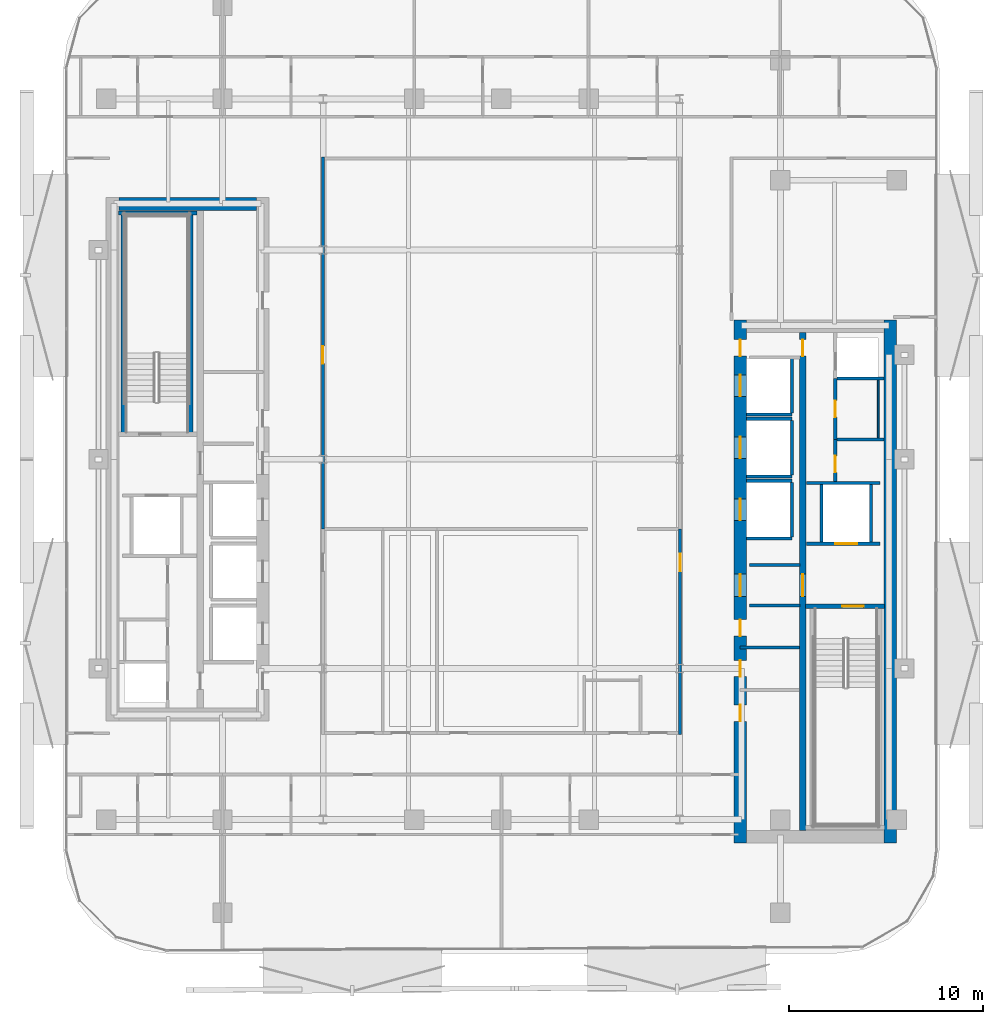
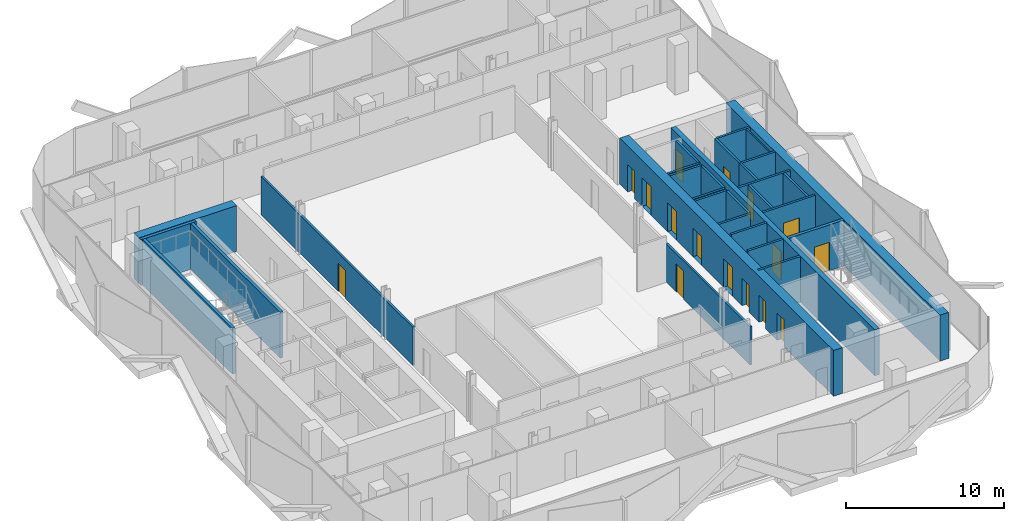
# One storey, part 5 of 17: 30 walls, 16 doors, 16 openings.
"""IFC4 building model written with IfcOpenShell, lengths in metres."""

from ifc_helpers import new_model, si_unit, direction, frame, frame_2d, origin, place, context, subcontext, project, spatial, rectangle, extrude, material, layer, layer_set, type_object, element, fill, save


model = new_model("IFC4")

# Units and contexts
model_context = context("Model", 3, precision=1e-05, world=origin(), true_north=direction((0.0, 1.0)))
body_context = subcontext(model_context, "Body", "Model", "MODEL_VIEW")
ifc_project = project(units=[si_unit("LENGTHUNIT", "METRE"), si_unit("AREAUNIT", "SQUARE_METRE"), si_unit("VOLUMEUNIT", "CUBIC_METRE"), si_unit("PLANEANGLEUNIT", "RADIAN"), si_unit("MASSUNIT", "GRAM", prefix="KILO")], contexts=[model_context])

# Site, building, storey
site_placement = place(None, origin())
site = spatial("IfcSite", under=ifc_project, at=site_placement, CompositionType="ELEMENT")
building_placement = place(site_placement, origin())
building = spatial("IfcBuilding", under=site, at=building_placement, Name="Khairoan Windgate Tower", CompositionType="ELEMENT")
storey_placement = place(building_placement, frame((0.0, 0.0, 168.800048828125)))
storey = spatial("IfcBuildingStorey", under=building, at=storey_placement, Name="L38", CompositionType="ELEMENT", Elevation=168.800048828125)

# Walls
ifc_material_1 = material(Name="Moisture-Resistant Gypsum Partition", Category="gypsum")
ifc_layer_1 = layer(ifc_material_1, 0.10009765625, Name="Moisture-Resistant Gypsum Partition")
ifc_layer_set_1 = layer_set([ifc_layer_1], Name="Moisture-Resistant Gypsum Partition")
wall_type_1 = type_object("IfcWallType", Name="Bathroom Wet-Area Partition Wall", PredefinedType="PARTITIONING", material=ifc_layer_set_1)
wall_1_placement = place(storey_placement, frame((19.449951171875, 4.090087890625, 0.0), z_axis=(0.0, 0.0, 1.0), x_axis=(0.0, -1.0, 0.0)))
element("IfcWall", 1, at=wall_1_placement, inside=storey, type_object=wall_type_1, Name="L38 Wet Room Side Wall 090", PredefinedType="PARTITIONING", context=body_context, shape_type="SweptSolid", body=[
    extrude(rectangle(XDim=2.97998046875, YDim=0.10009765625, at=frame_2d((1.489990234375, 0.0))), origin(), (0.0, 0.0, 1.0), 3.5400390625),
])
ifc_material_2 = material(Name="Concrete C40/50", Category="concrete")
ifc_layer_2 = layer(ifc_material_2, 0.159912109375, Name="Concrete C40/50")
ifc_layer_set_2 = layer_set([ifc_layer_2], Name="Concrete C40/50")
wall_type_2 = type_object("IfcWallType", Name="Core and Hoistway Enclosure Wall", PredefinedType="STANDARD", material=ifc_layer_set_2)
wall_2_placement = place(storey_placement, frame((12.64990234375, 2.31005859375, 0.0), z_axis=(0.0, 0.0, 1.0), x_axis=(1.0, 0.0, 0.0)))
element("IfcWall", 2, at=wall_2_placement, inside=storey, type_object=wall_type_2, Name="L38 Lift PL7 Hoistway Divider S", PredefinedType="STANDARD", context=body_context, shape_type="SweptSolid", body=[
    extrude(rectangle(XDim=2.340087890625, YDim=0.159912109375, at=frame_2d((1.169921875, 0.0))), origin(), (0.0, 0.0, 1.0), 3.5400390625),
])
wall_3_placement = place(storey_placement, frame((14.989990234375, 2.39990234375, 0.0), z_axis=(0.0, 0.0, 1.0), x_axis=(0.0, 1.0, 0.0)))
element("IfcWall", 3, at=wall_3_placement, inside=storey, type_object=wall_type_2, Name="L38 Lift PL7 Hoistway Back Wall", PredefinedType="STANDARD", context=body_context, shape_type="SweptSolid", body=[
    extrude(rectangle(XDim=2.800048828125, YDim=0.159912109375, at=frame_2d((1.39990234375, 0.0))), origin(), (0.0, 0.0, 1.0), 3.5400390625),
])
for number, where, z_axis, x_axis, name in (
    (4, (12.64990234375, -0.889892578125, 0.0), (0.0, 0.0, 1.0), (1.0, 0.0, 0.0), "L38 Lift PL8 Hoistway Divider S"),
    (5, (12.64990234375, 2.090087890625, 0.0), (0.0, 0.0, 1.0), (1.0, 0.0, 0.0), "L38 Lift PL8 Hoistway Divider N"),
):
    element("IfcWall", number, at=place(storey_placement, frame(where, z_axis=z_axis, x_axis=x_axis)), inside=storey, type_object=wall_type_2, Name=name, PredefinedType="STANDARD", context=body_context, shape_type="SweptSolid", body=[
        extrude(rectangle(XDim=2.340087890625, YDim=0.159912109375, at=frame_2d((1.169921875, 0.0))), origin(), (0.0, 0.0, 1.0), 3.5400390625),
    ])
wall_4_placement = place(storey_placement, frame((14.989990234375, -0.800048828125, 0.0), z_axis=(0.0, 0.0, 1.0), x_axis=(0.0, 1.0, 0.0)))
element("IfcWall", 6, at=wall_4_placement, inside=storey, type_object=wall_type_2, Name="L38 Lift PL8 Hoistway Back Wall", PredefinedType="STANDARD", context=body_context, shape_type="SweptSolid", body=[
    extrude(rectangle(XDim=2.800048828125, YDim=0.159912109375, at=frame_2d((1.39990234375, 0.0))), origin(), (0.0, 0.0, 1.0), 3.5400390625),
])
for number, where, z_axis, x_axis, name in (
    (7, (12.64990234375, -4.090087890625, 0.0), (0.0, 0.0, 1.0), (1.0, 0.0, 0.0), "L38 Lift PL9 Hoistway Divider S"),
    (8, (12.64990234375, -1.110107421875, 0.0), (0.0, 0.0, 1.0), (1.0, 0.0, 0.0), "L38 Lift PL9 Hoistway Divider N"),
):
    element("IfcWall", number, at=place(storey_placement, frame(where, z_axis=z_axis, x_axis=x_axis)), inside=storey, type_object=wall_type_2, Name=name, PredefinedType="STANDARD", context=body_context, shape_type="SweptSolid", body=[
        extrude(rectangle(XDim=2.340087890625, YDim=0.159912109375, at=frame_2d((1.169921875, 0.0))), origin(), (0.0, 0.0, 1.0), 3.5400390625),
    ])
wall_5_placement = place(storey_placement, frame((14.989990234375, -4.0, 0.0), z_axis=(0.0, 0.0, 1.0), x_axis=(0.0, 1.0, 0.0)))
element("IfcWall", 9, at=wall_5_placement, inside=storey, type_object=wall_type_2, Name="L38 Lift PL9 Hoistway Back Wall", PredefinedType="STANDARD", context=body_context, shape_type="SweptSolid", body=[
    extrude(rectangle(XDim=2.800048828125, YDim=0.159912109375, at=frame_2d((1.39990234375, 0.0))), origin(), (0.0, 0.0, 1.0), 3.5400390625),
])

# Wall, opening, door
wall_6_placement = place(storey_placement, frame((15.75, -4.360107421875, 0.0), z_axis=(0.0, 0.0, 1.0), x_axis=(1.0, 0.0, 0.0)))
wall_6 = element("IfcWall", 10, at=wall_6_placement, inside=storey, type_object=wall_type_2, Name="L38 Core Shaft Wall SW-FL1-L38", PredefinedType="STANDARD", context=body_context, shape_type="SweptSolid", body=[
    extrude(rectangle(XDim=3.800048828125, YDim=0.159912109375, at=frame_2d((1.89990234375, 0.0))), origin(), (0.0, 0.0, 1.0), 3.5400390625),
])
opening_1_placement = place(wall_6_placement, frame((1.469970703125, 0.0, 0.0)))
opening_1 = element("IfcOpeningElement", 11, at=opening_1_placement, cuts=wall_6, Name="Opening LD-FL", PredefinedType="OPENING", context=body_context, shape_type="SweptSolid", body=[
    extrude(rectangle(XDim=1.14990234375, YDim=2.199951171875, at=frame_2d((0.574951171875, 1.10009765625))), frame((0.0, 0.08984375, 0.0), z_axis=(0.0, -1.0, 0.0), x_axis=(1.0, 0.0, 0.0)), (0.0, 0.0, 1.0), 0.179931640625),
])
ifc_material_3 = material(Name="Steel S355", Category="steel")
door_type_1 = type_object("IfcDoorType", Name="Firefighting Lift Sliding Landing Door LD-FL 1150x2200", OperationType="DOUBLE_DOOR_SLIDING", PredefinedType="DOOR", material=ifc_material_3)
door_1_placement = place(opening_1_placement, origin())
door_1 = element("IfcDoor", 12, at=door_1_placement, inside=storey, type_object=door_type_1, Name="L38 Firefighting Lift FL1 Landing Door", OperationType="DOUBLE_DOOR_SLIDING", OverallHeight=2.199951171875, OverallWidth=1.14990234375, PredefinedType="DOOR", context=body_context, shape_type="SweptSolid", body=[
    extrude(rectangle(XDim=1.14990234375, YDim=2.199951171875, at=frame_2d((0.574951171875, 1.10009765625))), frame((0.0, 0.02490234375, 0.0), z_axis=(0.0, -1.0, 0.0), x_axis=(1.0, 0.0, 0.0)), (0.0, 0.0, 1.0), 0.050048828125),
])
fill(opening_1, door_1)

# Walls
wall_7_placement = place(storey_placement, frame((15.75, -1.219970703125, 0.0), z_axis=(0.0, 0.0, 1.0), x_axis=(1.0, 0.0, 0.0)))
element("IfcWall", 13, at=wall_7_placement, inside=storey, type_object=wall_type_2, Name="L38 Core Shaft Wall SW-FL1T-L38", PredefinedType="STANDARD", context=body_context, shape_type="SweptSolid", body=[
    extrude(rectangle(XDim=3.800048828125, YDim=0.159912109375, at=frame_2d((1.89990234375, 0.0))), origin(), (0.0, 0.0, 1.0), 3.5400390625),
])
for number, where, z_axis, x_axis, name in (
    (14, (16.52001953125, -4.280029296875, 0.0), (0.0, 0.0, 1.0), (0.0, 1.0, 0.0), "L38 Core Shaft Wall SW-FL1W-L38"),
    (15, (19.080078125, -4.280029296875, 0.0), (0.0, 0.0, 1.0), (0.0, 1.0, 0.0), "L38 Core Shaft Wall SW-FL1E-L38"),
):
    element("IfcWall", number, at=place(storey_placement, frame(where, z_axis=z_axis, x_axis=x_axis)), inside=storey, type_object=wall_type_2, Name=name, PredefinedType="STANDARD", context=body_context, shape_type="SweptSolid", body=[
        extrude(rectangle(XDim=2.97998046875, YDim=0.159912109375, at=frame_2d((1.489990234375, 0.0))), origin(), (0.0, 0.0, 1.0), 3.5400390625),
    ])
for number, where, z_axis, x_axis, name in (
    (16, (12.800048828125, -5.449951171875, 0.0), (0.0, 0.0, 1.0), (1.0, 0.0, 0.0), "L38 Core Shaft Wall SW-EV1-L38"),
    (17, (12.800048828125, -7.5400390625, 0.0), (0.0, 0.0, 1.0), (1.0, 0.0, 0.0), "L38 Core Shaft Wall SW-EV2-L38"),
):
    element("IfcWall", number, at=place(storey_placement, frame(where, z_axis=z_axis, x_axis=x_axis)), inside=storey, type_object=wall_type_2, Name=name, PredefinedType="STANDARD", context=body_context, shape_type="SweptSolid", body=[
        extrude(rectangle(XDim=2.599853515625, YDim=0.159912109375, at=frame_2d((1.2998046875, 0.0))), origin(), (0.0, 0.0, 1.0), 3.5400390625),
    ])

# Wall, opening, door
ifc_material_4 = material(Name="Concrete C40/50", Category="concrete")
ifc_layer_3 = layer(ifc_material_4, 0.159912109375, Name="Concrete C40/50")
ifc_layer_set_3 = layer_set([ifc_layer_3], Name="Concrete C40/50")
wall_type_3 = type_object("IfcWallType", Name="Plant and Refuge Compartment Wall", PredefinedType="PARTITIONING", material=ifc_layer_set_3)
wall_8_placement = place(storey_placement, frame((17.22998046875, -1.139892578125, 0.0), z_axis=(0.0, 0.0, 1.0), x_axis=(0.0, 1.0, 0.0)))
wall_8 = element("IfcWall", 18, at=wall_8_placement, inside=storey, type_object=wall_type_3, Name="L38 Interior Partition 008", PredefinedType="PARTITIONING", context=body_context, shape_type="SweptSolid", body=[
    extrude(rectangle(XDim=2.169921875, YDim=0.159912109375, at=frame_2d((1.0849609375, 0.0))), origin(), (0.0, 0.0, 1.0), 3.5400390625),
])
opening_2_placement = place(wall_8_placement, frame((0.4599609375, 0.0, 0.0)))
opening_2 = element("IfcOpeningElement", 19, at=opening_2_placement, cuts=wall_8, Name="Opening FD-SRV", PredefinedType="OPENING", context=body_context, shape_type="SweptSolid", body=[
    extrude(rectangle(XDim=0.85009765625, YDim=2.10009765625, at=frame_2d((0.425048828125, 1.050048828125))), frame((0.0, 0.08984375, 0.0), z_axis=(0.0, -1.0, 0.0), x_axis=(1.0, 0.0, 0.0)), (0.0, 0.0, 1.0), 0.179931640625),
])
ifc_material_5 = material(Name="Steel S355", Category="steel")
door_type_2 = type_object("IfcDoorType", Name="Core Service and Riser Fire Door FD-SRV 850x2100", OperationType="NOTDEFINED", PredefinedType="DOOR", material=ifc_material_5)
door_2_placement = place(opening_2_placement, origin())
door_2 = element("IfcDoor", 20, at=door_2_placement, inside=storey, type_object=door_type_2, Name="L38 L38-18-L38-20 Door", OperationType="SINGLE_SWING_RIGHT", OverallHeight=2.10009765625, OverallWidth=0.85009765625, PredefinedType="DOOR", context=body_context, shape_type="SweptSolid", body=[
    extrude(rectangle(XDim=0.85009765625, YDim=2.10009765625, at=frame_2d((0.425048828125, 1.050048828125))), frame((0.0, 0.02490234375, 0.0), z_axis=(0.0, -1.0, 0.0), x_axis=(1.0, 0.0, 0.0)), (0.0, 0.0, 1.0), 0.050048828125),
])
fill(opening_2, door_2)

wall_9_placement = place(storey_placement, frame((17.22998046875, 1.030029296875, 0.0), z_axis=(0.0, 0.0, 1.0), x_axis=(0.0, 1.0, 0.0)))
wall_9 = element("IfcWall", 21, at=wall_9_placement, inside=storey, type_object=wall_type_3, Name="L38 Interior Partition 009", PredefinedType="PARTITIONING", context=body_context, shape_type="SweptSolid", body=[
    extrude(rectangle(XDim=3.139892578125, YDim=0.159912109375, at=frame_2d((1.56982421875, 0.0))), origin(), (0.0, 0.0, 1.0), 3.5400390625),
])
opening_3_placement = place(wall_9_placement, frame((1.14501953125, 0.0, 0.0)))
opening_3 = element("IfcOpeningElement", 22, at=opening_3_placement, cuts=wall_9, Name="Opening FD-SRV", PredefinedType="OPENING", context=body_context, shape_type="SweptSolid", body=[
    extrude(rectangle(XDim=0.85009765625, YDim=2.10009765625, at=frame_2d((0.425048828125, 1.050048828125))), frame((0.0, 0.08984375, 0.0), z_axis=(0.0, -1.0, 0.0), x_axis=(1.0, 0.0, 0.0)), (0.0, 0.0, 1.0), 0.179931640625),
])
door_3_placement = place(opening_3_placement, origin())
door_3 = element("IfcDoor", 23, at=door_3_placement, inside=storey, type_object=door_type_2, Name="L38 L38-18-L38-21 Door", OperationType="SINGLE_SWING_LEFT", OverallHeight=2.10009765625, OverallWidth=0.85009765625, PredefinedType="DOOR", context=body_context, shape_type="SweptSolid", body=[
    extrude(rectangle(XDim=0.85009765625, YDim=2.10009765625, at=frame_2d((0.425048828125, 1.050048828125))), frame((0.0, 0.02490234375, 0.0), z_axis=(0.0, -1.0, 0.0), x_axis=(1.0, 0.0, 0.0)), (0.0, 0.0, 1.0), 0.050048828125),
])
fill(opening_3, door_3)

# Walls
for number, where, z_axis, x_axis, name in (
    (24, (17.31005859375, 4.169921875, 0.0), (0.0, 0.0, 1.0), (1.0, 0.0, 0.0), "L38 Interior Partition 010"),
    (25, (17.31005859375, 1.030029296875, 0.0), (0.0, 0.0, 1.0), (1.0, 0.0, 0.0), "L38 Interior Partition 011"),
):
    element("IfcWall", number, at=place(storey_placement, frame(where, z_axis=z_axis, x_axis=x_axis)), inside=storey, type_object=wall_type_3, Name=name, PredefinedType="PARTITIONING", context=body_context, shape_type="SweptSolid", body=[
        extrude(rectangle(XDim=2.43994140625, YDim=0.159912109375, at=frame_2d((1.219970703125, 0.0))), origin(), (0.0, 0.0, 1.0), 3.5400390625),
    ])
wall_10_placement = place(storey_placement, frame((12.31005859375, -9.719970703125, 0.0), z_axis=(0.0, 0.0, 1.0), x_axis=(1.0, 0.0, 0.0)))
element("IfcWall", 26, at=wall_10_placement, inside=storey, type_object=wall_type_3, Name="L38 Interior Partition 013", PredefinedType="PARTITIONING", context=body_context, shape_type="SweptSolid", body=[
    extrude(rectangle(XDim=3.06494140625, YDim=0.159912109375, at=frame_2d((1.532470703125, 0.0))), origin(), (0.0, 0.0, 1.0), 3.5400390625),
])

# Wall, opening, door
ifc_material_6 = material(Name="Acoustic Fire-Rated Gypsum Partition", Category="gypsum")
ifc_layer_4 = layer(ifc_material_6, 0.14990234375, Name="Acoustic Fire-Rated Gypsum Partition")
ifc_layer_set_4 = layer_set([ifc_layer_4], Name="Acoustic Fire-Rated Gypsum Partition")
wall_type_4 = type_object("IfcWallType", Name="Rated Corridor Partition Wall", PredefinedType="PARTITIONING", material=ifc_layer_set_4)
wall_11_placement = place(storey_placement, frame((-9.219970703125, -3.60009765625, 0.0), z_axis=(0.0, 0.0, 1.0), x_axis=(0.0, 1.0, 0.0)))
wall_11 = element("IfcWall", 27, at=wall_11_placement, inside=storey, type_object=wall_type_4, Name="L38 Interior Partition 015", PredefinedType="PARTITIONING", context=body_context, shape_type="SweptSolid", body=[
    extrude(rectangle(XDim=19.195068359375, YDim=0.14990234375, at=frame_2d((9.59765625, 0.0))), origin(), (0.0, 0.0, 1.0), 2.951904296875),
])
opening_4_placement = place(wall_11_placement, frame((8.54150390625, 0.0, 0.0)))
opening_4 = element("IfcOpeningElement", 28, at=opening_4_placement, cuts=wall_11, Name="Opening FD-ENT", PredefinedType="OPENING", context=body_context, shape_type="SweptSolid", body=[
    extrude(rectangle(XDim=0.89990234375, YDim=2.14990234375, at=frame_2d((0.449951171875, 1.074951171875))), frame((0.0, 0.0849609375, 0.0), z_axis=(0.0, -1.0, 0.0), x_axis=(1.0, 0.0, 0.0)), (0.0, 0.0, 1.0), 0.169921875),
])
ifc_material_7 = material(Name="Timber Fire-Rated Core", Category="wood")
door_type_3 = type_object("IfcDoorType", Name="Unit and Office Fire Entrance Door FD-ENT 900x2150", OperationType="NOTDEFINED", PredefinedType="DOOR", material=ifc_material_7)
door_4_placement = place(opening_4_placement, origin())
door_4 = element("IfcDoor", 29, at=door_4_placement, inside=storey, type_object=door_type_3, Name="L38 L38-30-L38-39 Door", OperationType="SINGLE_SWING_LEFT", OverallHeight=2.14990234375, OverallWidth=0.89990234375, PredefinedType="DOOR", context=body_context, shape_type="SweptSolid", body=[
    extrude(rectangle(XDim=0.89990234375, YDim=2.14990234375, at=frame_2d((0.449951171875, 1.074951171875))), frame((0.0, 0.02490234375, 0.0), z_axis=(0.0, -1.0, 0.0), x_axis=(1.0, 0.0, 0.0)), (0.0, 0.0, 1.0), 0.050048828125),
])
fill(opening_4, door_4)

wall_12_placement = place(storey_placement, frame((9.219970703125, -14.195068359375, 0.0), z_axis=(0.0, 0.0, 1.0), x_axis=(0.0, 1.0, 0.0)))
wall_12 = element("IfcWall", 30, at=wall_12_placement, inside=storey, type_object=wall_type_4, Name="L38 Interior Partition 016", PredefinedType="PARTITIONING", context=body_context, shape_type="SweptSolid", body=[
    extrude(rectangle(XDim=10.594970703125, YDim=0.14990234375, at=frame_2d((5.29736328125, 0.0))), origin(), (0.0, 0.0, 1.0), 2.951904296875),
])
opening_5_placement = place(wall_12_placement, frame((8.418701171875, 0.0, 0.0)))
opening_5 = element("IfcOpeningElement", 31, at=opening_5_placement, cuts=wall_12, Name="Opening FD-ENT", PredefinedType="OPENING", context=body_context, shape_type="SweptSolid", body=[
    extrude(rectangle(XDim=0.89990234375, YDim=2.14990234375, at=frame_2d((0.449951171875, 1.074951171875))), frame((0.0, 0.0849609375, 0.0), z_axis=(0.0, -1.0, 0.0), x_axis=(1.0, 0.0, 0.0)), (0.0, 0.0, 1.0), 0.169921875),
])
door_5_placement = place(opening_5_placement, origin())
door_5 = element("IfcDoor", 32, at=door_5_placement, inside=storey, type_object=door_type_3, Name="L38 L38-31-L38-38 Door", OperationType="SINGLE_SWING_RIGHT", OverallHeight=2.14990234375, OverallWidth=0.89990234375, PredefinedType="DOOR", context=body_context, shape_type="SweptSolid", body=[
    extrude(rectangle(XDim=0.89990234375, YDim=2.14990234375, at=frame_2d((0.449951171875, 1.074951171875))), frame((0.0, 0.02490234375, 0.0), z_axis=(0.0, -1.0, 0.0), x_axis=(1.0, 0.0, 0.0)), (0.0, 0.0, 1.0), 0.050048828125),
])
fill(opening_5, door_5)

# Wall, openings, doors
ifc_material_8 = material(Name="Concrete C60/75", Category="concrete")
ifc_layer_5 = layer(ifc_material_8, 0.64990234375, Name="Concrete C60/75")
ifc_layer_set_5 = layer_set([ifc_layer_5], Name="Concrete C60/75")
wall_type_5 = type_object("IfcWallType", Name="Shear Wall CW-E2 650mm", PredefinedType="SHEAR", material=ifc_layer_set_5)
wall_13_placement = place(storey_placement, frame((12.324951171875, -19.800048828125, 0.0), z_axis=(0.0, 0.0, 1.0), x_axis=(0.0, 1.0, 0.0)))
wall_13 = element("IfcWall", 33, at=wall_13_placement, inside=storey, type_object=wall_type_5, Name="E Core West Shear Wall L38", PredefinedType="SHEAR", context=body_context, shape_type="SweptSolid", body=[
    extrude(rectangle(XDim=27.0, YDim=0.64990234375, at=frame_2d((13.5, 0.0))), origin(), (0.0, 0.0, 1.0), 3.5400390625),
])
opening_6_placement = place(wall_13_placement, frame((23.050048828125, 0.0, 0.0)))
opening_6 = element("IfcOpeningElement", 34, at=opening_6_placement, cuts=wall_13, Name="Opening LD-PL", PredefinedType="OPENING", context=body_context, shape_type="SweptSolid", body=[
    extrude(rectangle(XDim=1.10009765625, YDim=2.199951171875, at=frame_2d((0.550048828125, 1.10009765625))), frame((0.0, 0.3349609375, 0.0), z_axis=(0.0, -1.0, 0.0), x_axis=(1.0, 0.0, 0.0)), (0.0, 0.0, 1.0), 0.669921875),
])
opening_7_placement = place(wall_13_placement, frame((19.85009765625, 0.0, 0.0)))
opening_7 = element("IfcOpeningElement", 35, at=opening_7_placement, cuts=wall_13, Name="Opening LD-PL", PredefinedType="OPENING", context=body_context, shape_type="SweptSolid", body=[
    extrude(rectangle(XDim=1.10009765625, YDim=2.199951171875, at=frame_2d((0.550048828125, 1.10009765625))), frame((0.0, 0.3349609375, 0.0), z_axis=(0.0, -1.0, 0.0), x_axis=(1.0, 0.0, 0.0)), (0.0, 0.0, 1.0), 0.669921875),
])
opening_8_placement = place(wall_13_placement, frame((16.64990234375, 0.0, 0.0)))
opening_8 = element("IfcOpeningElement", 36, at=opening_8_placement, cuts=wall_13, Name="Opening LD-PL", PredefinedType="OPENING", context=body_context, shape_type="SweptSolid", body=[
    extrude(rectangle(XDim=1.10009765625, YDim=2.199951171875, at=frame_2d((0.550048828125, 1.10009765625))), frame((0.0, 0.3349609375, 0.0), z_axis=(0.0, -1.0, 0.0), x_axis=(1.0, 0.0, 0.0)), (0.0, 0.0, 1.0), 0.669921875),
])
opening_9_placement = place(wall_13_placement, frame((6.27490234375, 0.0, 0.0)))
opening_9 = element("IfcOpeningElement", 37, at=opening_9_placement, cuts=wall_13, Name="Opening FD-SRV", PredefinedType="OPENING", context=body_context, shape_type="SweptSolid", body=[
    extrude(rectangle(XDim=0.85009765625, YDim=2.10009765625, at=frame_2d((0.425048828125, 1.050048828125))), frame((0.0, 0.3349609375, 0.0), z_axis=(0.0, -1.0, 0.0), x_axis=(1.0, 0.0, 0.0)), (0.0, 0.0, 1.0), 0.669921875),
])
opening_10_placement = place(wall_13_placement, frame((8.574951171875, 0.0, 0.0)))
opening_10 = element("IfcOpeningElement", 38, at=opening_10_placement, cuts=wall_13, Name="Opening FD-SRV", PredefinedType="OPENING", context=body_context, shape_type="SweptSolid", body=[
    extrude(rectangle(XDim=0.85009765625, YDim=2.10009765625, at=frame_2d((0.425048828125, 1.050048828125))), frame((0.0, 0.3349609375, 0.0), z_axis=(0.0, -1.0, 0.0), x_axis=(1.0, 0.0, 0.0)), (0.0, 0.0, 1.0), 0.669921875),
])
opening_11_placement = place(wall_13_placement, frame((10.675048828125, 0.0, 0.0)))
opening_11 = element("IfcOpeningElement", 39, at=opening_11_placement, cuts=wall_13, Name="Opening FD-SRV", PredefinedType="OPENING", context=body_context, shape_type="SweptSolid", body=[
    extrude(rectangle(XDim=0.85009765625, YDim=2.10009765625, at=frame_2d((0.425048828125, 1.050048828125))), frame((0.0, 0.3349609375, 0.0), z_axis=(0.0, -1.0, 0.0), x_axis=(1.0, 0.0, 0.0)), (0.0, 0.0, 1.0), 0.669921875),
])
opening_12_placement = place(wall_13_placement, frame((12.72509765625, 0.0, 0.0)))
opening_12 = element("IfcOpeningElement", 40, at=opening_12_placement, cuts=wall_13, Name="Opening FD-FFL", PredefinedType="OPENING", context=body_context, shape_type="SweptSolid", body=[
    extrude(rectangle(XDim=1.14990234375, YDim=2.199951171875, at=frame_2d((0.574951171875, 1.10009765625))), frame((0.0, 0.3349609375, 0.0), z_axis=(0.0, -1.0, 0.0), x_axis=(1.0, 0.0, 0.0)), (0.0, 0.0, 1.0), 0.669921875),
])
opening_13_placement = place(wall_13_placement, frame((25.125, 0.0, 0.0)))
opening_13 = element("IfcOpeningElement", 41, at=opening_13_placement, cuts=wall_13, Name="Opening FD-SRV", PredefinedType="OPENING", context=body_context, shape_type="SweptSolid", body=[
    extrude(rectangle(XDim=0.85009765625, YDim=2.10009765625, at=frame_2d((0.425048828125, 1.050048828125))), frame((0.0, 0.3349609375, 0.0), z_axis=(0.0, -1.0, 0.0), x_axis=(1.0, 0.0, 0.0)), (0.0, 0.0, 1.0), 0.669921875),
])
door_6_placement = place(opening_9_placement, origin())
door_6 = element("IfcDoor", 42, at=door_6_placement, inside=storey, type_object=door_type_2, Name="L38 East Core Service Room Door 1", OperationType="SINGLE_SWING_LEFT", OverallHeight=2.10009765625, OverallWidth=0.85009765625, PredefinedType="DOOR", context=body_context, shape_type="SweptSolid", body=[
    extrude(rectangle(XDim=0.85009765625, YDim=2.10009765625, at=frame_2d((0.425048828125, 1.050048828125))), frame((0.0, 0.02490234375, 0.0), z_axis=(0.0, -1.0, 0.0), x_axis=(1.0, 0.0, 0.0)), (0.0, 0.0, 1.0), 0.050048828125),
])
fill(opening_9, door_6)
door_7_placement = place(opening_10_placement, origin())
door_7 = element("IfcDoor", 43, at=door_7_placement, inside=storey, type_object=door_type_2, Name="L38 East Core Service Room Door 2", OperationType="SINGLE_SWING_RIGHT", OverallHeight=2.10009765625, OverallWidth=0.85009765625, PredefinedType="DOOR", context=body_context, shape_type="SweptSolid", body=[
    extrude(rectangle(XDim=0.85009765625, YDim=2.10009765625, at=frame_2d((0.425048828125, 1.050048828125))), frame((0.0, 0.02490234375, 0.0), z_axis=(0.0, -1.0, 0.0), x_axis=(1.0, 0.0, 0.0)), (0.0, 0.0, 1.0), 0.050048828125),
])
fill(opening_10, door_7)
door_8_placement = place(opening_11_placement, origin())
door_8 = element("IfcDoor", 44, at=door_8_placement, inside=storey, type_object=door_type_2, Name="L38 East Core Service Room Door 3", OperationType="SINGLE_SWING_LEFT", OverallHeight=2.10009765625, OverallWidth=0.85009765625, PredefinedType="DOOR", context=body_context, shape_type="SweptSolid", body=[
    extrude(rectangle(XDim=0.85009765625, YDim=2.10009765625, at=frame_2d((0.425048828125, 1.050048828125))), frame((0.0, 0.02490234375, 0.0), z_axis=(0.0, -1.0, 0.0), x_axis=(1.0, 0.0, 0.0)), (0.0, 0.0, 1.0), 0.050048828125),
])
fill(opening_11, door_8)
door_9_placement = place(opening_13_placement, origin())
door_9 = element("IfcDoor", 45, at=door_9_placement, inside=storey, type_object=door_type_2, Name="L38 East Core Service Vestibule Outer Door", OperationType="SINGLE_SWING_RIGHT", OverallHeight=2.10009765625, OverallWidth=0.85009765625, PredefinedType="DOOR", context=body_context, shape_type="SweptSolid", body=[
    extrude(rectangle(XDim=0.85009765625, YDim=2.10009765625, at=frame_2d((0.425048828125, 1.050048828125))), frame((0.0, 0.02490234375, 0.0), z_axis=(0.0, -1.0, 0.0), x_axis=(1.0, 0.0, 0.0)), (0.0, 0.0, 1.0), 0.050048828125),
])
fill(opening_13, door_9)
ifc_material_9 = material(Name="Steel S355", Category="steel")
door_type_4 = type_object("IfcDoorType", Name="Firefighting Lobby Fire Door FD-FFL 1150x2200", OperationType="NOTDEFINED", PredefinedType="DOOR", material=ifc_material_9)
door_10_placement = place(opening_12_placement, origin())
door_10 = element("IfcDoor", 46, at=door_10_placement, inside=storey, type_object=door_type_4, Name="L38 East Core Vestibule Entry Door", OperationType="SINGLE_SWING_RIGHT", OverallHeight=2.199951171875, OverallWidth=1.14990234375, PredefinedType="DOOR", context=body_context, shape_type="SweptSolid", body=[
    extrude(rectangle(XDim=1.14990234375, YDim=2.199951171875, at=frame_2d((0.574951171875, 1.10009765625))), frame((0.0, 0.02490234375, 0.0), z_axis=(0.0, -1.0, 0.0), x_axis=(1.0, 0.0, 0.0)), (0.0, 0.0, 1.0), 0.050048828125),
])
fill(opening_12, door_10)
ifc_material_10 = material(Name="Anodised Bronze Aluminium 6063-T6", Category="aluminium")
door_type_5 = type_object("IfcDoorType", Name="Passenger Lift Sliding Landing Door LD-PL 1100x2200", OperationType="DOUBLE_DOOR_SLIDING", PredefinedType="DOOR", material=ifc_material_10)
door_11_placement = place(opening_6_placement, origin())
door_11 = element("IfcDoor", 47, at=door_11_placement, inside=storey, type_object=door_type_5, Name="L38 Lift PL7 Sliding Landing Door", OperationType="DOUBLE_DOOR_SLIDING", OverallHeight=2.199951171875, OverallWidth=1.10009765625, PredefinedType="DOOR", context=body_context, shape_type="SweptSolid", body=[
    extrude(rectangle(XDim=1.10009765625, YDim=2.199951171875, at=frame_2d((0.550048828125, 1.10009765625))), frame((0.0, 0.02490234375, 0.0), z_axis=(0.0, -1.0, 0.0), x_axis=(1.0, 0.0, 0.0)), (0.0, 0.0, 1.0), 0.050048828125),
])
fill(opening_6, door_11)
door_12_placement = place(opening_7_placement, origin())
door_12 = element("IfcDoor", 48, at=door_12_placement, inside=storey, type_object=door_type_5, Name="L38 Lift PL8 Sliding Landing Door", OperationType="DOUBLE_DOOR_SLIDING", OverallHeight=2.199951171875, OverallWidth=1.10009765625, PredefinedType="DOOR", context=body_context, shape_type="SweptSolid", body=[
    extrude(rectangle(XDim=1.10009765625, YDim=2.199951171875, at=frame_2d((0.550048828125, 1.10009765625))), frame((0.0, 0.02490234375, 0.0), z_axis=(0.0, -1.0, 0.0), x_axis=(1.0, 0.0, 0.0)), (0.0, 0.0, 1.0), 0.050048828125),
])
fill(opening_7, door_12)
door_13_placement = place(opening_8_placement, origin())
door_13 = element("IfcDoor", 49, at=door_13_placement, inside=storey, type_object=door_type_5, Name="L38 Lift PL9 Sliding Landing Door", OperationType="DOUBLE_DOOR_SLIDING", OverallHeight=2.199951171875, OverallWidth=1.10009765625, PredefinedType="DOOR", context=body_context, shape_type="SweptSolid", body=[
    extrude(rectangle(XDim=1.10009765625, YDim=2.199951171875, at=frame_2d((0.550048828125, 1.10009765625))), frame((0.0, 0.02490234375, 0.0), z_axis=(0.0, -1.0, 0.0), x_axis=(1.0, 0.0, 0.0)), (0.0, 0.0, 1.0), 0.050048828125),
])
fill(opening_8, door_13)

# Walls
wall_14_placement = place(storey_placement, frame((20.074951171875, -19.800048828125, 0.0), z_axis=(0.0, 0.0, 1.0), x_axis=(0.0, 1.0, 0.0)))
element("IfcWall", 50, at=wall_14_placement, inside=storey, type_object=wall_type_5, Name="E Core East Shear Wall L38", PredefinedType="SHEAR", context=body_context, shape_type="SweptSolid", body=[
    extrude(rectangle(XDim=27.0, YDim=0.64990234375, at=frame_2d((13.5, 0.0))), origin(), (0.0, 0.0, 1.0), 3.5400390625),
])
ifc_material_11 = material(Name="Concrete C60/75", Category="concrete")
ifc_layer_6 = layer(ifc_material_11, 0.64990234375, Name="Concrete C60/75")
ifc_layer_set_6 = layer_set([ifc_layer_6], Name="Concrete C60/75")
wall_type_6 = type_object("IfcWallType", Name="Shear Wall CW-W2 650mm", PredefinedType="SHEAR", material=ifc_layer_set_6)
wall_15_placement = place(storey_placement, frame((-19.75, 13.175048828125, 0.0), z_axis=(0.0, 0.0, 1.0), x_axis=(1.0, 0.0, 0.0)))
element("IfcWall", 51, at=wall_15_placement, inside=storey, type_object=wall_type_6, Name="W Core North Shear Wall L38", PredefinedType="SHEAR", context=body_context, shape_type="SweptSolid", body=[
    extrude(rectangle(XDim=7.10009765625, YDim=0.64990234375, at=frame_2d((3.550048828125, 0.0))), origin(), (0.0, 0.0, 1.0), 3.5400390625),
])

# Wall, openings, doors
ifc_material_12 = material(Name="Concrete C60/75", Category="concrete")
ifc_layer_7 = layer(ifc_material_12, 0.35009765625, Name="Concrete C60/75")
ifc_layer_set_7 = layer_set([ifc_layer_7], Name="Concrete C60/75")
wall_type_7 = type_object("IfcWallType", Name="Shear Wall SW-1 350mm", PredefinedType="SHEAR", material=ifc_layer_set_7)
wall_16_placement = place(storey_placement, frame((15.550048828125, -19.14990234375, 0.0), z_axis=(0.0, 0.0, 1.0), x_axis=(0.0, 1.0, 0.0)))
wall_16 = element("IfcWall", 52, at=wall_16_placement, inside=storey, type_object=wall_type_7, Name="E Core Spine Shear Wall L38", PredefinedType="SHEAR", context=body_context, shape_type="SweptSolid", body=[
    extrude(rectangle(XDim=25.699951171875, YDim=0.35009765625, at=frame_2d((12.85009765625, 0.0))), origin(), (0.0, 0.0, 1.0), 3.5400390625),
])
opening_14_placement = place(wall_16_placement, frame((12.074951171875, 0.0, 0.0)))
opening_14 = element("IfcOpeningElement", 53, at=opening_14_placement, cuts=wall_16, Name="Opening FD-FFL", PredefinedType="OPENING", context=body_context, shape_type="SweptSolid", body=[
    extrude(rectangle(XDim=1.14990234375, YDim=2.199951171875, at=frame_2d((0.574951171875, 1.10009765625))), frame((0.0, 0.18505859375, 0.0), z_axis=(0.0, -1.0, 0.0), x_axis=(1.0, 0.0, 0.0)), (0.0, 0.0, 1.0), 0.3701171875),
])
opening_15_placement = place(wall_16_placement, frame((24.47509765625, 0.0, 0.0)))
opening_15 = element("IfcOpeningElement", 54, at=opening_15_placement, cuts=wall_16, Name="Opening FD-SRV", PredefinedType="OPENING", context=body_context, shape_type="SweptSolid", body=[
    extrude(rectangle(XDim=0.85009765625, YDim=2.10009765625, at=frame_2d((0.425048828125, 1.050048828125))), frame((0.0, 0.18505859375, 0.0), z_axis=(0.0, -1.0, 0.0), x_axis=(1.0, 0.0, 0.0)), (0.0, 0.0, 1.0), 0.3701171875),
])
door_14_placement = place(opening_15_placement, origin())
door_14 = element("IfcDoor", 55, at=door_14_placement, inside=storey, type_object=door_type_2, Name="L38 East Core Service Passage Inner Door", OperationType="SINGLE_SWING_LEFT", OverallHeight=2.10009765625, OverallWidth=0.85009765625, PredefinedType="DOOR", context=body_context, shape_type="SweptSolid", body=[
    extrude(rectangle(XDim=0.85009765625, YDim=2.10009765625, at=frame_2d((0.425048828125, 1.050048828125))), frame((0.0, 0.02490234375, 0.0), z_axis=(0.0, -1.0, 0.0), x_axis=(1.0, 0.0, 0.0)), (0.0, 0.0, 1.0), 0.050048828125),
])
fill(opening_15, door_14)
door_15_placement = place(opening_14_placement, origin())
door_15 = element("IfcDoor", 56, at=door_15_placement, inside=storey, type_object=door_type_4, Name="L38 East Firefighting Lobby Fire Door", OperationType="SINGLE_SWING_LEFT", OverallHeight=2.199951171875, OverallWidth=1.14990234375, PredefinedType="DOOR", context=body_context, shape_type="SweptSolid", body=[
    extrude(rectangle(XDim=1.14990234375, YDim=2.199951171875, at=frame_2d((0.574951171875, 1.10009765625))), frame((0.0, 0.02490234375, 0.0), z_axis=(0.0, -1.0, 0.0), x_axis=(1.0, 0.0, 0.0)), (0.0, 0.0, 1.0), 0.050048828125),
])
fill(opening_14, door_15)

# Wall, opening, door
ifc_material_13 = material(Name="Concrete C50/60", Category="concrete")
ifc_layer_8 = layer(ifc_material_13, 0.219970703125, Name="Concrete C50/60")
ifc_layer_set_8 = layer_set([ifc_layer_8], Name="Concrete C50/60")
wall_type_8 = type_object("IfcWallType", Name="Shear Wall SW-ST 220mm", PredefinedType="SHEAR", material=ifc_layer_set_8)
wall_17_placement = place(storey_placement, frame((19.77001953125, -7.590087890625, 0.0), z_axis=(0.0, 0.0, 1.0), x_axis=(-1.0, 0.0, 0.0)))
wall_17 = element("IfcWall", 57, at=wall_17_placement, inside=storey, type_object=wall_type_8, Name="L38 Stair ST1 North Bearing Wall", PredefinedType="SHEAR", context=body_context, shape_type="SweptSolid", body=[
    extrude(rectangle(XDim=4.06494140625, YDim=0.219970703125, at=frame_2d((2.032470703125, 0.0))), origin(), (0.0, 0.0, 1.0), 3.5400390625),
])
opening_16_placement = place(wall_17_placement, frame((1.080078125, 0.0, 0.0)))
opening_16 = element("IfcOpeningElement", 58, at=opening_16_placement, cuts=wall_17, Name="Opening FD-ST", PredefinedType="OPENING", context=body_context, shape_type="SweptSolid", body=[
    extrude(rectangle(XDim=1.10009765625, YDim=2.199951171875, at=frame_2d((0.550048828125, 1.10009765625))), frame((0.0, 0.119873046875, 0.0), z_axis=(0.0, -1.0, 0.0), x_axis=(1.0, 0.0, 0.0)), (0.0, 0.0, 1.0), 0.239990234375),
])
ifc_material_14 = material(Name="Steel S355", Category="steel")
door_type_6 = type_object("IfcDoorType", Name="Smokeproof Stair Fire Door FD-ST 1100x2200", OperationType="NOTDEFINED", PredefinedType="DOOR", material=ifc_material_14)
door_16_placement = place(opening_16_placement, origin())
door_16 = element("IfcDoor", 59, at=door_16_placement, inside=storey, type_object=door_type_6, Name="L38 Stair ST1 Fire Door", OperationType="SINGLE_SWING_LEFT", OverallHeight=2.199951171875, OverallWidth=1.10009765625, PredefinedType="DOOR", context=body_context, shape_type="SweptSolid", body=[
    extrude(rectangle(XDim=1.10009765625, YDim=2.199951171875, at=frame_2d((0.550048828125, 1.10009765625))), frame((0.0, 0.02490234375, 0.0), z_axis=(0.0, -1.0, 0.0), x_axis=(1.0, 0.0, 0.0)), (0.0, 0.0, 1.0), 0.050048828125),
])
fill(opening_16, door_16)

# Walls
for number, where, z_axis, x_axis, name in (
    (60, (-16.0400390625, 1.2900390625, 0.0), (0.0, 0.0, 1.0), (0.0, 1.0, 0.0), "L38 Stair ST2 East Bearing Wall"),
    (61, (-19.530029296875, 1.2900390625, 0.0), (0.0, 0.0, 1.0), (0.0, 1.0, 0.0), "L38 Stair ST2 West Bearing Wall"),
):
    element("IfcWall", number, at=place(storey_placement, frame(where, z_axis=z_axis, x_axis=x_axis)), inside=storey, type_object=wall_type_8, Name=name, PredefinedType="SHEAR", context=body_context, shape_type="SweptSolid", body=[
        extrude(rectangle(XDim=11.419921875, YDim=0.219970703125, at=frame_2d((5.7099609375, 0.0))), origin(), (0.0, 0.0, 1.0), 3.5400390625),
    ])
wall_18_placement = place(storey_placement, frame((-19.77001953125, 12.7099609375, 0.0), z_axis=(0.0, 0.0, 1.0), x_axis=(1.0, 0.0, 0.0)))
element("IfcWall", 62, at=wall_18_placement, inside=storey, type_object=wall_type_8, Name="L38 Stair ST2 North Bearing Wall", PredefinedType="SHEAR", context=body_context, shape_type="SweptSolid", body=[
    extrude(rectangle(XDim=4.06494140625, YDim=0.219970703125, at=frame_2d((2.032470703125, 0.0))), origin(), (0.0, 0.0, 1.0), 3.5400390625),
])

save(model, "model.ifc")
